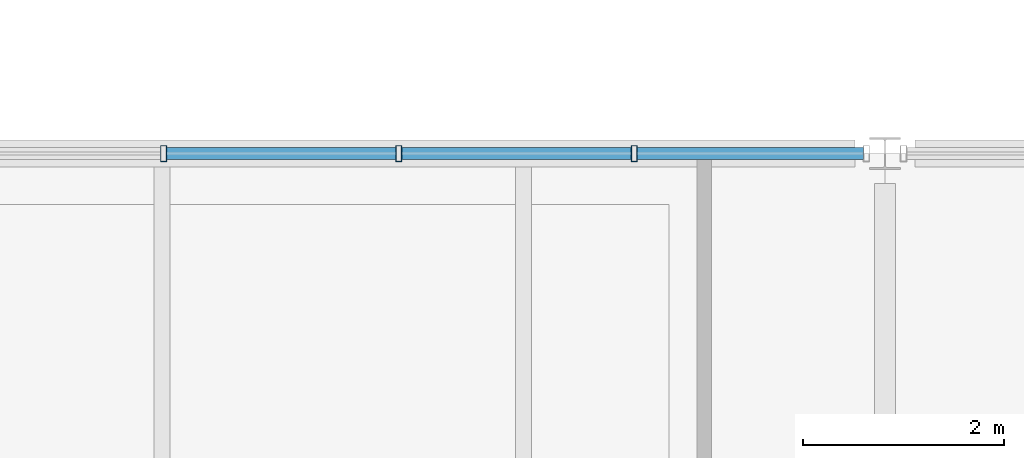
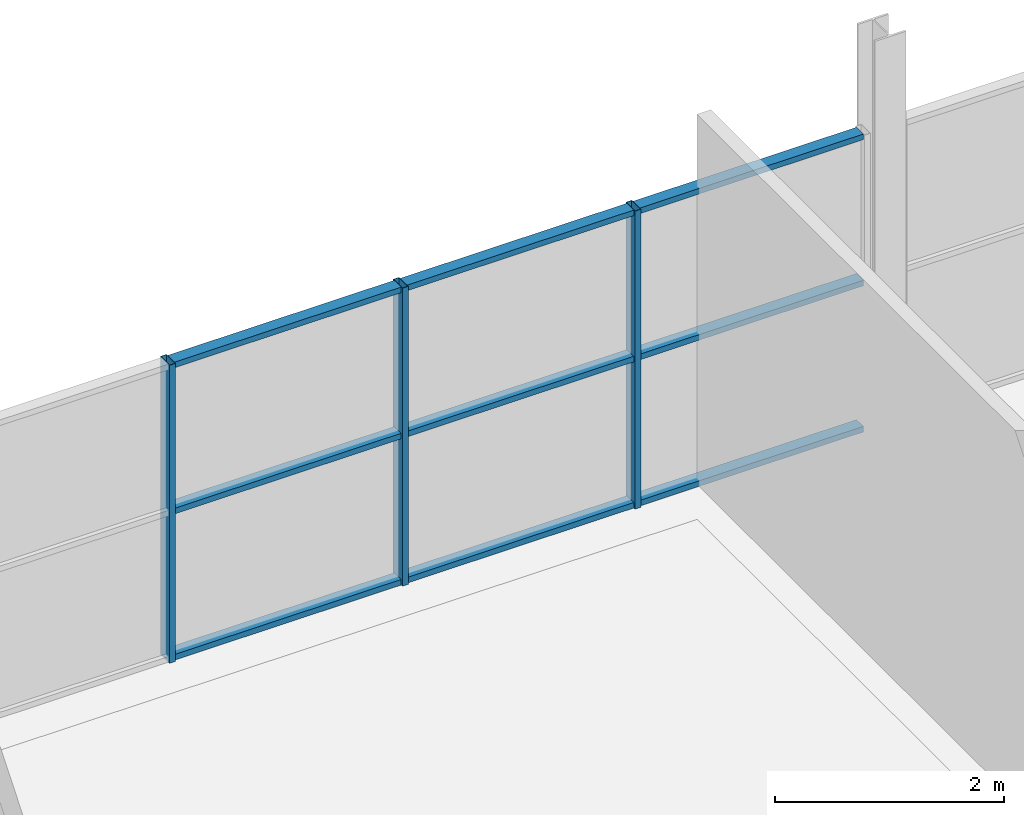
# One storey, part 81 of 161: 12 members, 1 element without a shape of its own.
"""IFC4 building model written with IfcOpenShell, lengths in metres."""

from ifc_helpers import new_model, si_unit, direction, frame, origin, origin_2d, place, context, subcontext, project, spatial, hollow_rectangle, extrude, material, material_profile, profile_set, type_object, element, aggregate, save


model = new_model("IFC4")

# Units and contexts
model_context = context("Model", 3, precision=1e-05, world=origin(), true_north=direction((0.0, 1.0)))
body_context = subcontext(model_context, "Body", "Model", "MODEL_VIEW")
ifc_project = project(units=[si_unit("LENGTHUNIT", "METRE"), si_unit("AREAUNIT", "SQUARE_METRE"), si_unit("VOLUMEUNIT", "CUBIC_METRE"), si_unit("PLANEANGLEUNIT", "RADIAN"), si_unit("MASSUNIT", "GRAM", prefix="KILO"), si_unit("THERMODYNAMICTEMPERATUREUNIT", "KELVIN")], contexts=[model_context])

# Site, building, storey
site_placement = place(None, origin())
site = spatial("IfcSite", under=ifc_project, at=site_placement, CompositionType="ELEMENT")
building_placement = place(site_placement, origin())
building = spatial("IfcBuilding", under=site, at=building_placement, Name="Nduvali Passage Aquatics Centre", CompositionType="ELEMENT")
storey_placement = place(building_placement, frame((0.0, 0.0, 4.800048828125)))
storey = spatial("IfcBuildingStorey", under=building, at=storey_placement, Name="L01", CompositionType="ELEMENT", Elevation=4.800048828125)

# Curtain wall, members
ifc_material = material(Name="Aluminium EN AW-6063 T6", Category="aluminium")
curtain_wall_type = type_object("IfcCurtainWallType", Name="ENV-CW-WELL", PredefinedType="NOTDEFINED", material=ifc_material)
curtain_wall_placement = place(storey_placement, origin())
curtain_wall = element("IfcCurtainWall", 1, at=curtain_wall_placement, inside=storey, type_object=curtain_wall_type, Name="L01 North Avenue Fitness CW 108", PredefinedType="NOTDEFINED")
ifc_material_profile_1 = material_profile(ifc_material, hollow_rectangle(XDim=0.06005859375, YDim=0.159912109375, WallThickness=0.00390625, at=origin_2d()), Name="ALU MULLION 60x160x4")
ifc_profile_set_1 = profile_set([ifc_material_profile_1], Name="Aluminium EN AW-6063 T6")
member_type_1 = type_object("IfcMemberType", Name="ENV-MEM-MUL60", PredefinedType="MULLION", material=ifc_profile_set_1)
member_1_placement = place(storey_placement, frame((90.015380859375, 117.60009765625, 0.0), z_axis=(0.0, 0.0, 1.0), x_axis=(1.0, 0.0, 0.0)))
member_1 = element("IfcMember", 2, at=member_1_placement, type_object=member_type_1, Name="North Avenue Fitness CW Mullion 4", PredefinedType="MULLION", context=body_context, shape_type="SweptSolid", body=[
    extrude(hollow_rectangle(XDim=0.06005859375, YDim=0.159912109375, WallThickness=0.00390625, at=origin_2d()), origin(), (0.0, 0.0, 1.0), 3.173828125),
])
member_2_placement = place(storey_placement, frame((92.358642578125, 117.60009765625, 0.0), z_axis=(0.0, 0.0, 1.0), x_axis=(1.0, 0.0, 0.0)))
member_2 = element("IfcMember", 3, at=member_2_placement, type_object=member_type_1, Name="North Avenue Fitness CW Mullion 5", PredefinedType="MULLION", context=body_context, shape_type="SweptSolid", body=[
    extrude(hollow_rectangle(XDim=0.06005859375, YDim=0.159912109375, WallThickness=0.00390625, at=origin_2d()), origin(), (0.0, 0.0, 1.0), 3.173828125),
])
member_3_placement = place(storey_placement, frame((94.701904296875, 117.60009765625, 0.0), z_axis=(0.0, 0.0, 1.0), x_axis=(1.0, 0.0, 0.0)))
member_3 = element("IfcMember", 4, at=member_3_placement, type_object=member_type_1, Name="North Avenue Fitness CW Mullion 6", PredefinedType="MULLION", context=body_context, shape_type="SweptSolid", body=[
    extrude(hollow_rectangle(XDim=0.06005859375, YDim=0.159912109375, WallThickness=0.00390625, at=origin_2d()), origin(), (0.0, 0.0, 1.0), 3.173828125),
])
ifc_material_profile_2 = material_profile(ifc_material, hollow_rectangle(XDim=0.1201171875, YDim=0.06005859375, WallThickness=0.00390625, at=origin_2d()), Name="ALU TRANSOM 120x60x4")
ifc_profile_set_2 = profile_set([ifc_material_profile_2], Name="Aluminium EN AW-6063 T6")
member_type_2 = type_object("IfcMemberType", Name="ENV-MEM-TRN60", PredefinedType="USERDEFINED", material=ifc_profile_set_2)
member_4_placement = place(storey_placement, frame((90.04541015625, 117.60009765625, 0.030029296875), z_axis=(1.0, 0.0, 0.0), x_axis=(0.0, 1.0, 0.0)))
member_4 = element("IfcMember", 5, at=member_4_placement, type_object=member_type_2, Name="North Avenue Fitness CW Transom B4-R0", ObjectType="TRANSOM", PredefinedType="USERDEFINED", context=body_context, shape_type="SweptSolid", body=[
    extrude(hollow_rectangle(XDim=0.1201171875, YDim=0.06005859375, WallThickness=0.00390625, at=origin_2d()), origin(), (0.0, 0.0, 1.0), 2.283203125),
])
member_5_placement = place(storey_placement, frame((90.04541015625, 117.60009765625, 1.5869140625), z_axis=(1.0, 0.0, 0.0), x_axis=(0.0, 1.0, 0.0)))
member_5 = element("IfcMember", 6, at=member_5_placement, type_object=member_type_2, Name="North Avenue Fitness CW Transom B4-R1", ObjectType="TRANSOM", PredefinedType="USERDEFINED", context=body_context, shape_type="SweptSolid", body=[
    extrude(hollow_rectangle(XDim=0.1201171875, YDim=0.06005859375, WallThickness=0.00390625, at=origin_2d()), origin(), (0.0, 0.0, 1.0), 2.283203125),
])
member_6_placement = place(storey_placement, frame((90.04541015625, 117.60009765625, 3.143798828125), z_axis=(1.0, 0.0, 0.0), x_axis=(0.0, 1.0, 0.0)))
member_6 = element("IfcMember", 7, at=member_6_placement, type_object=member_type_2, Name="North Avenue Fitness CW Transom B4-R2", ObjectType="TRANSOM", PredefinedType="USERDEFINED", context=body_context, shape_type="SweptSolid", body=[
    extrude(hollow_rectangle(XDim=0.1201171875, YDim=0.06005859375, WallThickness=0.00390625, at=origin_2d()), origin(), (0.0, 0.0, 1.0), 2.283203125),
])
member_7_placement = place(storey_placement, frame((92.388671875, 117.60009765625, 0.030029296875), z_axis=(1.0, 0.0, 0.0), x_axis=(0.0, 1.0, 0.0)))
member_7 = element("IfcMember", 8, at=member_7_placement, type_object=member_type_2, Name="North Avenue Fitness CW Transom B5-R0", ObjectType="TRANSOM", PredefinedType="USERDEFINED", context=body_context, shape_type="SweptSolid", body=[
    extrude(hollow_rectangle(XDim=0.1201171875, YDim=0.06005859375, WallThickness=0.00390625, at=origin_2d()), origin(), (0.0, 0.0, 1.0), 2.283447265625),
])
member_8_placement = place(storey_placement, frame((92.388671875, 117.60009765625, 1.5869140625), z_axis=(1.0, 0.0, 0.0), x_axis=(0.0, 1.0, 0.0)))
member_8 = element("IfcMember", 9, at=member_8_placement, type_object=member_type_2, Name="North Avenue Fitness CW Transom B5-R1", ObjectType="TRANSOM", PredefinedType="USERDEFINED", context=body_context, shape_type="SweptSolid", body=[
    extrude(hollow_rectangle(XDim=0.1201171875, YDim=0.06005859375, WallThickness=0.00390625, at=origin_2d()), origin(), (0.0, 0.0, 1.0), 2.283447265625),
])
member_9_placement = place(storey_placement, frame((92.388671875, 117.60009765625, 3.143798828125), z_axis=(1.0, 0.0, 0.0), x_axis=(0.0, 1.0, 0.0)))
member_9 = element("IfcMember", 10, at=member_9_placement, type_object=member_type_2, Name="North Avenue Fitness CW Transom B5-R2", ObjectType="TRANSOM", PredefinedType="USERDEFINED", context=body_context, shape_type="SweptSolid", body=[
    extrude(hollow_rectangle(XDim=0.1201171875, YDim=0.06005859375, WallThickness=0.00390625, at=origin_2d()), origin(), (0.0, 0.0, 1.0), 2.283447265625),
])
member_10_placement = place(storey_placement, frame((94.73193359375, 117.60009765625, 0.030029296875), z_axis=(1.0, 0.0, 0.0), x_axis=(0.0, 1.0, 0.0)))
member_10 = element("IfcMember", 11, at=member_10_placement, type_object=member_type_2, Name="North Avenue Fitness CW Transom B6-R0", ObjectType="TRANSOM", PredefinedType="USERDEFINED", context=body_context, shape_type="SweptSolid", body=[
    extrude(hollow_rectangle(XDim=0.1201171875, YDim=0.06005859375, WallThickness=0.00390625, at=origin_2d()), origin(), (0.0, 0.0, 1.0), 2.25341796875),
])
member_11_placement = place(storey_placement, frame((94.73193359375, 117.60009765625, 1.5869140625), z_axis=(1.0, 0.0, 0.0), x_axis=(0.0, 1.0, 0.0)))
member_11 = element("IfcMember", 12, at=member_11_placement, type_object=member_type_2, Name="North Avenue Fitness CW Transom B6-R1", ObjectType="TRANSOM", PredefinedType="USERDEFINED", context=body_context, shape_type="SweptSolid", body=[
    extrude(hollow_rectangle(XDim=0.1201171875, YDim=0.06005859375, WallThickness=0.00390625, at=origin_2d()), origin(), (0.0, 0.0, 1.0), 2.25341796875),
])
member_12_placement = place(storey_placement, frame((94.73193359375, 117.60009765625, 3.143798828125), z_axis=(1.0, 0.0, 0.0), x_axis=(0.0, 1.0, 0.0)))
member_12 = element("IfcMember", 13, at=member_12_placement, type_object=member_type_2, Name="North Avenue Fitness CW Transom B6-R2", ObjectType="TRANSOM", PredefinedType="USERDEFINED", context=body_context, shape_type="SweptSolid", body=[
    extrude(hollow_rectangle(XDim=0.1201171875, YDim=0.06005859375, WallThickness=0.00390625, at=origin_2d()), origin(), (0.0, 0.0, 1.0), 2.25341796875),
])
aggregate(curtain_wall, [member_1, member_2, member_3, member_4, member_5, member_6, member_7, member_8, member_9, member_10, member_11, member_12])

save(model, "model.ifc")
